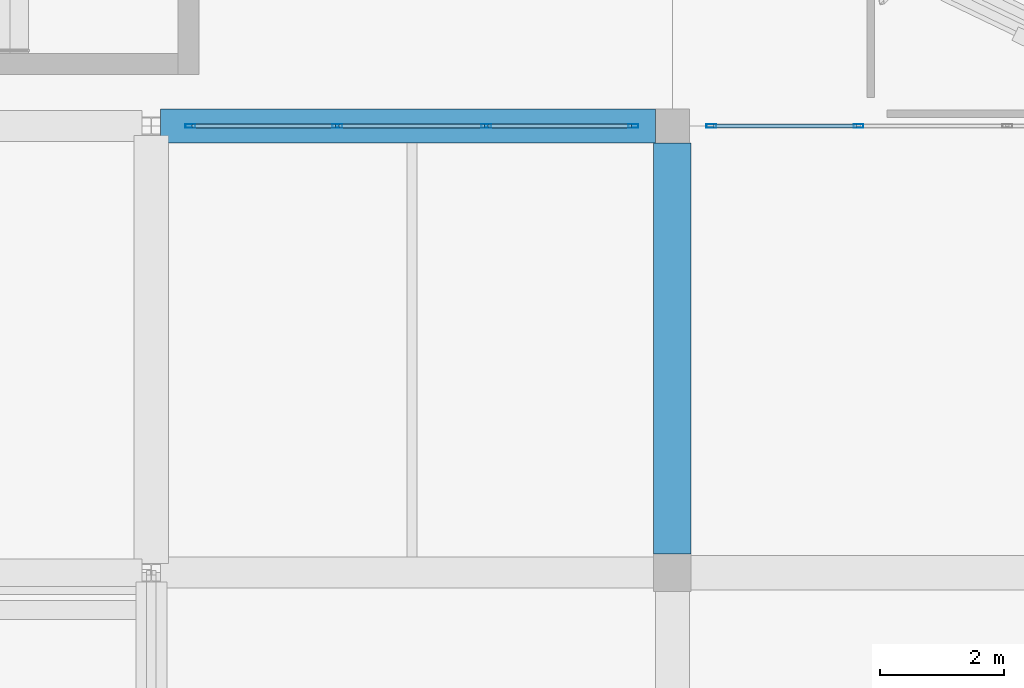
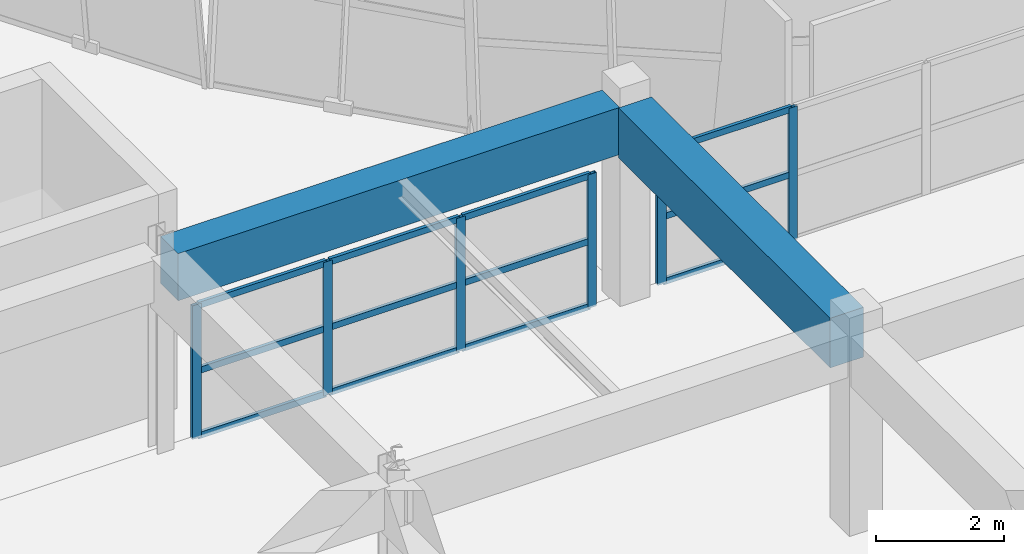
# One storey, part 9 of 74: 18 members, 2 beams, 2 elements without a shape of their own.
"""IFC4 building model written with IfcOpenShell, lengths in metres."""

from ifc_helpers import new_model, si_unit, direction, frame, origin, origin_2d, place, context, subcontext, project, spatial, rectangle, hollow_rectangle, extrude, material, material_profile, profile_set, type_object, element, aggregate, save


model = new_model("IFC4")

# Units and contexts
model_context = context("Model", 3, precision=1e-05, world=origin(), true_north=direction((0.0, 1.0)))
body_context = subcontext(model_context, "Body", "Model", "MODEL_VIEW")
ifc_project = project(units=[si_unit("LENGTHUNIT", "METRE"), si_unit("AREAUNIT", "SQUARE_METRE"), si_unit("VOLUMEUNIT", "CUBIC_METRE"), si_unit("PLANEANGLEUNIT", "RADIAN"), si_unit("MASSUNIT", "GRAM", prefix="KILO")], contexts=[model_context])

# Site, building, storey
site_placement = place(None, origin())
site = spatial("IfcSite", under=ifc_project, at=site_placement, CompositionType="ELEMENT")
building_placement = place(site_placement, origin())
building = spatial("IfcBuilding", under=site, at=building_placement, Name="Korsvaeld Concert Hall", CompositionType="ELEMENT")
storey_placement = place(building_placement, frame((0.0, 0.0, 9.0)))
storey = spatial("IfcBuildingStorey", under=building, at=storey_placement, Name="L02", CompositionType="ELEMENT", Elevation=9.0)

# Beams
ifc_material_1 = material(Name="Concrete C40/50", Category="concrete")
ifc_material_profile_1 = material_profile(ifc_material_1, rectangle(XDim=0.550048828125, YDim=0.89990234375, at=origin_2d()), Name="RC 550x900")
ifc_profile_set_1 = profile_set([ifc_material_profile_1], Name="Concrete C40/50")
beam_type_1 = type_object("IfcBeamType", Name="BM-RC-550x900", PredefinedType="T_BEAM", material=ifc_profile_set_1)
beam_1_placement = place(storey_placement, frame((58.949951171875, 43.199951171875, 3.389892578125), z_axis=(1.0, 0.0, 0.0), x_axis=(0.0, 1.0, 0.0)))
element("IfcBeam", 1, at=beam_1_placement, inside=storey, type_object=beam_type_1, Name="Primary girder 9-10/G L02", PredefinedType="T_BEAM", context=body_context, shape_type="SweptSolid", body=[
    extrude(rectangle(XDim=0.550048828125, YDim=0.89990234375, at=origin_2d()), origin(), (0.0, 0.0, 1.0), 7.97509765625),
])
ifc_material_profile_2 = material_profile(ifc_material_1, rectangle(XDim=0.60009765625, YDim=0.949951171875, at=origin_2d()), Name="RC 600x950")
ifc_profile_set_2 = profile_set([ifc_material_profile_2], Name="Concrete C40/50")
beam_type_2 = type_object("IfcBeamType", Name="BM-RC-600x950", PredefinedType="T_BEAM", material=ifc_profile_set_2)
beam_2_placement = place(storey_placement, frame((67.199951171875, 36.300048828125, 3.364990234375), z_axis=(0.0, 1.0, 0.0), x_axis=(-1.0, 0.0, 0.0)))
element("IfcBeam", 2, at=beam_2_placement, inside=storey, type_object=beam_type_2, Name="Primary girder 10/F-G L02", PredefinedType="T_BEAM", context=body_context, shape_type="SweptSolid", body=[
    extrude(rectangle(XDim=0.60009765625, YDim=0.949951171875, at=origin_2d()), origin(), (0.0, 0.0, 1.0), 6.625),
])

# Curtain wall, members
ifc_material_2 = material(Name="Anodised bronze and ceramic-fritted safety glass", Category="glass")
curtain_wall_type_1 = type_object("IfcCurtainWallType", Name="CW-TYPE-15", PredefinedType="USERDEFINED", material=ifc_material_2)
curtain_wall_1_placement = place(storey_placement, origin())
curtain_wall_1 = element("IfcCurtainWall", 3, at=curtain_wall_1_placement, inside=storey, type_object=curtain_wall_type_1, Name="Glazed foyer acoustic screen L02-31", ObjectType="CURTAIN WALL", PredefinedType="USERDEFINED")
ifc_material_3 = material(Name="Anodised architectural bronze aluminium", Category="aluminium")
ifc_material_profile_3 = material_profile(ifc_material_3, hollow_rectangle(XDim=0.06005859375, YDim=0.159912109375, WallThickness=0.00390625, at=origin_2d()), Name="CWM 160x60x4")
ifc_profile_set_3 = profile_set([ifc_material_profile_3], Name="Anodised architectural bronze aluminium")
member_type_1 = type_object("IfcMemberType", Name="CWM-ALUM-160x60", PredefinedType="MULLION", material=ifc_profile_set_3)
member_1_placement = place(storey_placement, frame((59.429931640625, 43.199951171875, 0.0), z_axis=(0.0, 0.0, 1.0), x_axis=(0.0, 1.0, 0.0)))
member_1 = element("IfcMember", 4, at=member_1_placement, type_object=member_type_1, Name="CW-15 mullion 1", PredefinedType="MULLION", context=body_context, shape_type="SweptSolid", body=[
    extrude(hollow_rectangle(XDim=0.06005859375, YDim=0.159912109375, WallThickness=0.00390625, at=origin_2d()), origin(), (0.0, 0.0, 1.0), 2.550048828125),
])
member_2_placement = place(storey_placement, frame((61.800048828125, 43.199951171875, 0.0), z_axis=(0.0, 0.0, 1.0), x_axis=(0.0, 1.0, 0.0)))
member_2 = element("IfcMember", 5, at=member_2_placement, type_object=member_type_1, Name="CW-15 mullion 2", PredefinedType="MULLION", context=body_context, shape_type="SweptSolid", body=[
    extrude(hollow_rectangle(XDim=0.06005859375, YDim=0.159912109375, WallThickness=0.00390625, at=origin_2d()), origin(), (0.0, 0.0, 1.0), 2.550048828125),
])
member_3_placement = place(storey_placement, frame((64.199951171875, 43.199951171875, 0.0), z_axis=(0.0, 0.0, 1.0), x_axis=(0.0, 1.0, 0.0)))
member_3 = element("IfcMember", 6, at=member_3_placement, type_object=member_type_1, Name="CW-15 mullion 3", PredefinedType="MULLION", context=body_context, shape_type="SweptSolid", body=[
    extrude(hollow_rectangle(XDim=0.06005859375, YDim=0.159912109375, WallThickness=0.00390625, at=origin_2d()), origin(), (0.0, 0.0, 1.0), 2.550048828125),
])
member_4_placement = place(storey_placement, frame((66.570068359375, 43.199951171875, 0.0), z_axis=(0.0, 0.0, 1.0), x_axis=(0.0, 1.0, 0.0)))
member_4 = element("IfcMember", 7, at=member_4_placement, type_object=member_type_1, Name="CW-15 mullion 4", PredefinedType="MULLION", context=body_context, shape_type="SweptSolid", body=[
    extrude(hollow_rectangle(XDim=0.06005859375, YDim=0.159912109375, WallThickness=0.00390625, at=origin_2d()), origin(), (0.0, 0.0, 1.0), 2.550048828125),
])

curtain_wall_type_2 = type_object("IfcCurtainWallType", Name="CW-TYPE-08", PredefinedType="USERDEFINED", material=ifc_material_2)
curtain_wall_2_placement = place(storey_placement, origin())
curtain_wall_2 = element("IfcCurtainWall", 8, at=curtain_wall_2_placement, inside=storey, type_object=curtain_wall_type_2, Name="Glazed foyer acoustic screen L02-32", ObjectType="CURTAIN WALL", PredefinedType="USERDEFINED")
member_5_placement = place(storey_placement, frame((67.830078125, 43.199951171875, 0.0), z_axis=(0.0, 0.0, 1.0), x_axis=(0.0, 1.0, 0.0)))
member_5 = element("IfcMember", 9, at=member_5_placement, type_object=member_type_1, Name="CW-08 mullion 1", PredefinedType="MULLION", context=body_context, shape_type="SweptSolid", body=[
    extrude(hollow_rectangle(XDim=0.06005859375, YDim=0.159912109375, WallThickness=0.00390625, at=origin_2d()), origin(), (0.0, 0.0, 1.0), 2.550048828125),
])
member_6_placement = place(storey_placement, frame((70.199951171875, 43.199951171875, 0.0), z_axis=(0.0, 0.0, 1.0), x_axis=(0.0, 1.0, 0.0)))
member_6 = element("IfcMember", 10, at=member_6_placement, type_object=member_type_1, Name="CW-08 mullion 2", PredefinedType="MULLION", context=body_context, shape_type="SweptSolid", body=[
    extrude(hollow_rectangle(XDim=0.06005859375, YDim=0.159912109375, WallThickness=0.00390625, at=origin_2d()), origin(), (0.0, 0.0, 1.0), 2.550048828125),
])

# Member
ifc_material_profile_4 = material_profile(ifc_material_3, hollow_rectangle(XDim=0.06005859375, YDim=0.1201171875, WallThickness=0.00390625, at=origin_2d()), Name="CWT 120x60x4")
ifc_profile_set_4 = profile_set([ifc_material_profile_4], Name="Anodised architectural bronze aluminium")
member_type_2 = type_object("IfcMemberType", Name="CWT-ALUM-120x60", PredefinedType="USERDEFINED", material=ifc_profile_set_4)
member_7_placement = place(storey_placement, frame((59.4599609375, 43.199951171875, 0.030029296875), z_axis=(1.0, 0.0, 0.0), x_axis=(0.0, 1.0, 0.0)))
member_7 = element("IfcMember", 11, at=member_7_placement, type_object=member_type_2, Name="CW-15 transom 1.1", ObjectType="TRANSOM", PredefinedType="USERDEFINED", context=body_context, shape_type="SweptSolid", body=[
    extrude(hollow_rectangle(XDim=0.06005859375, YDim=0.1201171875, WallThickness=0.00390625, at=origin_2d()), origin(), (0.0, 0.0, 1.0), 2.31005859375),
])

member_8_placement = place(storey_placement, frame((59.4599609375, 43.199951171875, 1.27490234375), z_axis=(1.0, 0.0, 0.0), x_axis=(0.0, 1.0, 0.0)))
member_8 = element("IfcMember", 12, at=member_8_placement, type_object=member_type_2, Name="CW-15 transom 1.2", ObjectType="TRANSOM", PredefinedType="USERDEFINED", context=body_context, shape_type="SweptSolid", body=[
    extrude(hollow_rectangle(XDim=0.06005859375, YDim=0.1201171875, WallThickness=0.00390625, at=origin_2d()), origin(), (0.0, 0.0, 1.0), 2.31005859375),
])

member_9_placement = place(storey_placement, frame((59.4599609375, 43.199951171875, 2.52001953125), z_axis=(1.0, 0.0, 0.0), x_axis=(0.0, 1.0, 0.0)))
member_9 = element("IfcMember", 13, at=member_9_placement, type_object=member_type_2, Name="CW-15 transom 1.3", ObjectType="TRANSOM", PredefinedType="USERDEFINED", context=body_context, shape_type="SweptSolid", body=[
    extrude(hollow_rectangle(XDim=0.06005859375, YDim=0.1201171875, WallThickness=0.00390625, at=origin_2d()), origin(), (0.0, 0.0, 1.0), 2.31005859375),
])

member_10_placement = place(storey_placement, frame((61.830078125, 43.199951171875, 0.030029296875), z_axis=(1.0, 0.0, 0.0), x_axis=(0.0, 1.0, 0.0)))
member_10 = element("IfcMember", 14, at=member_10_placement, type_object=member_type_2, Name="CW-15 transom 2.1", ObjectType="TRANSOM", PredefinedType="USERDEFINED", context=body_context, shape_type="SweptSolid", body=[
    extrude(hollow_rectangle(XDim=0.06005859375, YDim=0.1201171875, WallThickness=0.00390625, at=origin_2d()), origin(), (0.0, 0.0, 1.0), 2.33984375),
])

member_11_placement = place(storey_placement, frame((61.830078125, 43.199951171875, 1.27490234375), z_axis=(1.0, 0.0, 0.0), x_axis=(0.0, 1.0, 0.0)))
member_11 = element("IfcMember", 15, at=member_11_placement, type_object=member_type_2, Name="CW-15 transom 2.2", ObjectType="TRANSOM", PredefinedType="USERDEFINED", context=body_context, shape_type="SweptSolid", body=[
    extrude(hollow_rectangle(XDim=0.06005859375, YDim=0.1201171875, WallThickness=0.00390625, at=origin_2d()), origin(), (0.0, 0.0, 1.0), 2.33984375),
])

member_12_placement = place(storey_placement, frame((61.830078125, 43.199951171875, 2.52001953125), z_axis=(1.0, 0.0, 0.0), x_axis=(0.0, 1.0, 0.0)))
member_12 = element("IfcMember", 16, at=member_12_placement, type_object=member_type_2, Name="CW-15 transom 2.3", ObjectType="TRANSOM", PredefinedType="USERDEFINED", context=body_context, shape_type="SweptSolid", body=[
    extrude(hollow_rectangle(XDim=0.06005859375, YDim=0.1201171875, WallThickness=0.00390625, at=origin_2d()), origin(), (0.0, 0.0, 1.0), 2.33984375),
])

member_13_placement = place(storey_placement, frame((64.22998046875, 43.199951171875, 0.030029296875), z_axis=(1.0, 0.0, 0.0), x_axis=(0.0, 1.0, 0.0)))
member_13 = element("IfcMember", 17, at=member_13_placement, type_object=member_type_2, Name="CW-15 transom 3.1", ObjectType="TRANSOM", PredefinedType="USERDEFINED", context=body_context, shape_type="SweptSolid", body=[
    extrude(hollow_rectangle(XDim=0.06005859375, YDim=0.1201171875, WallThickness=0.00390625, at=origin_2d()), origin(), (0.0, 0.0, 1.0), 2.31005859375),
])

member_14_placement = place(storey_placement, frame((64.22998046875, 43.199951171875, 1.27490234375), z_axis=(1.0, 0.0, 0.0), x_axis=(0.0, 1.0, 0.0)))
member_14 = element("IfcMember", 18, at=member_14_placement, type_object=member_type_2, Name="CW-15 transom 3.2", ObjectType="TRANSOM", PredefinedType="USERDEFINED", context=body_context, shape_type="SweptSolid", body=[
    extrude(hollow_rectangle(XDim=0.06005859375, YDim=0.1201171875, WallThickness=0.00390625, at=origin_2d()), origin(), (0.0, 0.0, 1.0), 2.31005859375),
])

member_15_placement = place(storey_placement, frame((64.22998046875, 43.199951171875, 2.52001953125), z_axis=(1.0, 0.0, 0.0), x_axis=(0.0, 1.0, 0.0)))
member_15 = element("IfcMember", 19, at=member_15_placement, type_object=member_type_2, Name="CW-15 transom 3.3", ObjectType="TRANSOM", PredefinedType="USERDEFINED", context=body_context, shape_type="SweptSolid", body=[
    extrude(hollow_rectangle(XDim=0.06005859375, YDim=0.1201171875, WallThickness=0.00390625, at=origin_2d()), origin(), (0.0, 0.0, 1.0), 2.31005859375),
])

aggregate(curtain_wall_1, [member_1, member_2, member_3, member_4, member_7, member_8, member_9, member_10, member_11, member_12, member_13, member_14, member_15])

member_16_placement = place(storey_placement, frame((67.860107421875, 43.199951171875, 0.030029296875), z_axis=(1.0, 0.0, 0.0), x_axis=(0.0, 1.0, 0.0)))
member_16 = element("IfcMember", 20, at=member_16_placement, type_object=member_type_2, Name="CW-08 transom 1.1", ObjectType="TRANSOM", PredefinedType="USERDEFINED", context=body_context, shape_type="SweptSolid", body=[
    extrude(hollow_rectangle(XDim=0.06005859375, YDim=0.1201171875, WallThickness=0.00390625, at=origin_2d()), origin(), (0.0, 0.0, 1.0), 2.309814453125),
])

member_17_placement = place(storey_placement, frame((67.860107421875, 43.199951171875, 1.27490234375), z_axis=(1.0, 0.0, 0.0), x_axis=(0.0, 1.0, 0.0)))
member_17 = element("IfcMember", 21, at=member_17_placement, type_object=member_type_2, Name="CW-08 transom 1.2", ObjectType="TRANSOM", PredefinedType="USERDEFINED", context=body_context, shape_type="SweptSolid", body=[
    extrude(hollow_rectangle(XDim=0.06005859375, YDim=0.1201171875, WallThickness=0.00390625, at=origin_2d()), origin(), (0.0, 0.0, 1.0), 2.309814453125),
])

member_18_placement = place(storey_placement, frame((67.860107421875, 43.199951171875, 2.52001953125), z_axis=(1.0, 0.0, 0.0), x_axis=(0.0, 1.0, 0.0)))
member_18 = element("IfcMember", 22, at=member_18_placement, type_object=member_type_2, Name="CW-08 transom 1.3", ObjectType="TRANSOM", PredefinedType="USERDEFINED", context=body_context, shape_type="SweptSolid", body=[
    extrude(hollow_rectangle(XDim=0.06005859375, YDim=0.1201171875, WallThickness=0.00390625, at=origin_2d()), origin(), (0.0, 0.0, 1.0), 2.309814453125),
])

aggregate(curtain_wall_2, [member_5, member_6, member_16, member_17, member_18])

save(model, "model.ifc")
